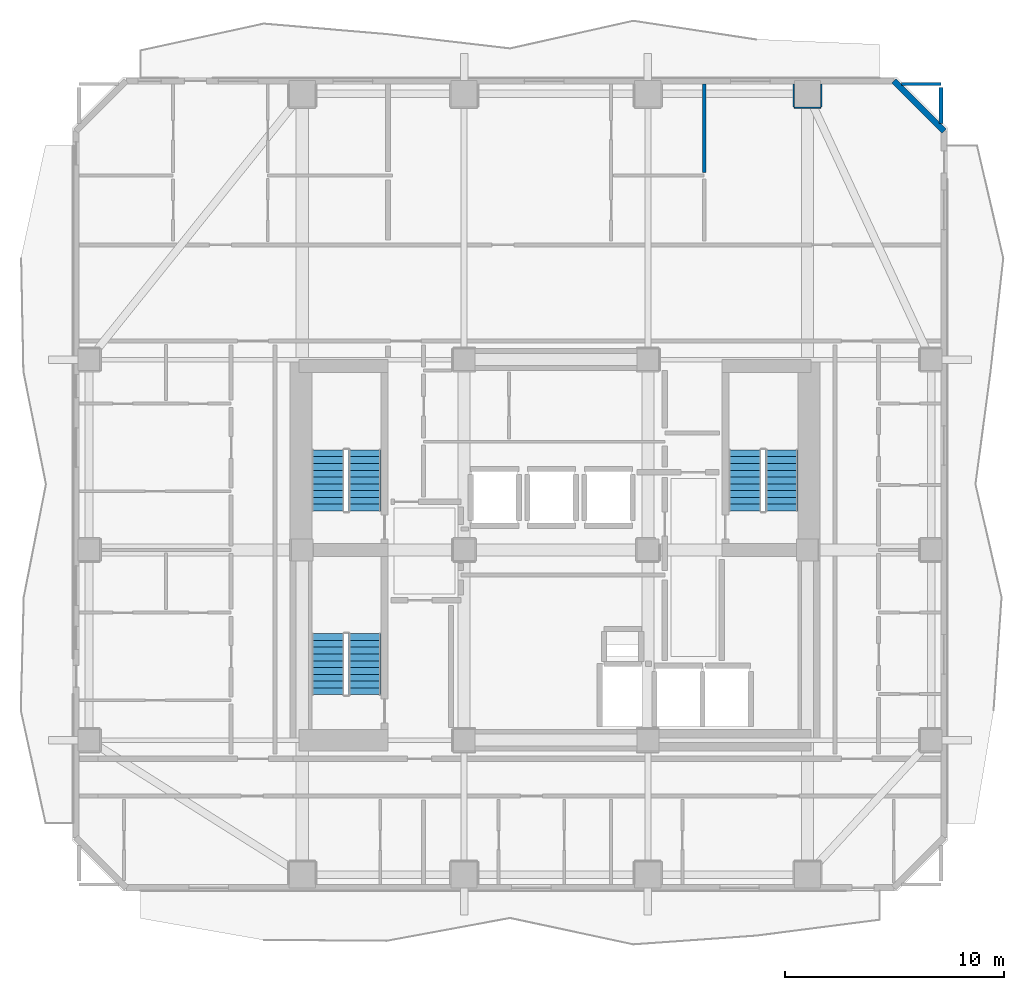
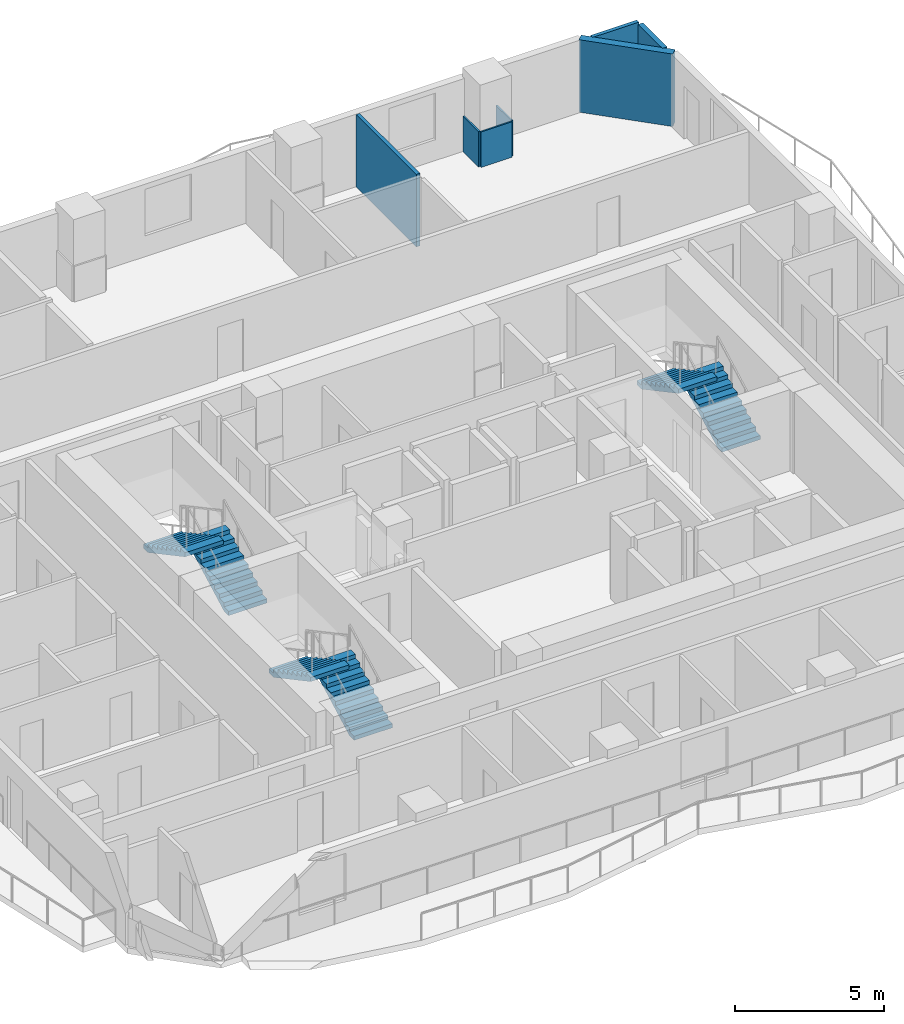
# One storey, part 7 of 11: 7 walls, 6 stair flights, 3 elements without a shape of their own.
"""IFC4 building model written with IfcOpenShell, lengths in metres."""

from ifc_helpers import new_model, si_unit, direction, frame, frame_2d, origin, place, context, subcontext, project, spatial, polyline, rectangle, outline, extrude, material, layer, layer_set, type_object, element, aggregate, save


model = new_model("IFC4")

# Units and contexts
model_context = context("Model", 3, precision=1e-05, world=origin(), true_north=direction((0.0, 1.0)))
body_context = subcontext(model_context, "Body", "Model", "MODEL_VIEW")
ifc_project = project(units=[si_unit("LENGTHUNIT", "METRE"), si_unit("AREAUNIT", "SQUARE_METRE"), si_unit("VOLUMEUNIT", "CUBIC_METRE"), si_unit("PLANEANGLEUNIT", "RADIAN"), si_unit("MASSUNIT", "GRAM", prefix="KILO")], contexts=[model_context])

# Site, building, storey
site_placement = place(None, origin())
site = spatial("IfcSite", under=ifc_project, at=site_placement, CompositionType="ELEMENT")
building_placement = place(site_placement, origin())
building = spatial("IfcBuilding", under=site, at=building_placement, Name="Solanera Arch Residences", CompositionType="ELEMENT")
storey_placement = place(building_placement, frame((0.0, 0.0, 169.159912109375)))
storey = spatial("IfcBuildingStorey", under=building, at=storey_placement, Name="L49", CompositionType="ELEMENT", Elevation=169.159912109375)

# Walls
ifc_material_1 = material(Name="Fire-Rated Gypsum Stud Partition", Category="gypsum")
ifc_layer_1 = layer(ifc_material_1, 0.06005859375)
ifc_layer_set_1 = layer_set([ifc_layer_1], Name="Fire-Rated Gypsum Stud Partition")
wall_type_1 = type_object("IfcWallType", Name="Column Acoustic Furring Wall 60", PredefinedType="PARTITIONING", material=ifc_layer_set_1)
wall_1_placement = place(storey_placement, frame((35.89990234375, 50.91796875, 0.0), z_axis=(0.0, 0.0, 1.0), x_axis=(1.0, 0.0, 0.0)))
element("IfcWall", 1, at=wall_1_placement, inside=storey, type_object=wall_type_1, Name="L49 Column Furring 16S", PredefinedType="PARTITIONING", context=body_context, shape_type="SweptSolid", body=[
    extrude(rectangle(XDim=1.2001953125, YDim=0.06005859375, at=frame_2d((0.60009765625, 0.0))), origin(), (0.0, 0.0, 1.0), 1.4501953125),
])
for number, where, z_axis, x_axis, name in (
    (2, (35.867919921875, 50.949951171875, 0.0), (0.0, 0.0, 1.0), (0.0, 1.0, 0.0), "L49 Column Furring 16W"),
    (3, (37.132080078125, 50.949951171875, 0.0), (0.0, 0.0, 1.0), (0.0, 1.0, 0.0), "L49 Column Furring 16E"),
):
    element("IfcWall", number, at=place(storey_placement, frame(where, z_axis=z_axis, x_axis=x_axis)), inside=storey, type_object=wall_type_1, Name=name, PredefinedType="PARTITIONING", context=body_context, shape_type="SweptSolid", body=[
        extrude(rectangle(XDim=1.0400390625, YDim=0.06005859375, at=frame_2d((0.52001953125, 0.0))), origin(), (0.0, 0.0, 1.0), 1.4501953125),
    ])
ifc_material_2 = material(Name="Autoclaved Aerated Concrete Blockwork", Category="masonry")
ifc_layer_2 = layer(ifc_material_2, 0.179931640625)
ifc_layer_set_2 = layer_set([ifc_layer_2], Name="Autoclaved Aerated Concrete Blockwork")
wall_type_2 = type_object("IfcWallType", Name="Corridor Fire Partition 180", PredefinedType="PARTITIONING", material=ifc_layer_set_2)
wall_2_placement = place(storey_placement, frame((42.60009765625, 50.205078125, 0.0), z_axis=(0.0, 0.0, 1.0), x_axis=(0.0, 1.0, 0.0)))
element("IfcWall", 4, at=wall_2_placement, inside=storey, type_object=wall_type_2, Name="L49 Interior Partition V15 2", PredefinedType="PARTITIONING", context=body_context, shape_type="SweptSolid", body=[
    extrude(rectangle(XDim=1.626953125, YDim=0.179931640625, at=frame_2d((0.8134765625, 0.0))), origin(), (0.0, 0.0, 1.0), 2.960205078125),
])
ifc_material_3 = material(Name="Precast Concrete C35/45", Category="concrete")
ifc_layer_3 = layer(ifc_material_3, 0.280029296875)
ifc_layer_set_3 = layer_set([ifc_layer_3], Name="Precast Concrete C35/45")
wall_type_3 = type_object("IfcWallType", Name="Exterior Wall Precast Masonry-Frame 280", PredefinedType="STANDARD", material=ifc_layer_set_3)
wall_3_placement = place(storey_placement, frame((40.445068359375, 52.14501953125, 0.0), z_axis=(0.0, 0.0, 1.0), x_axis=(0.707106781187, -0.707106781187, 0.0)))
element("IfcWall", 5, at=wall_3_placement, inside=storey, type_object=wall_type_3, Name="L49 Tower Exterior Precast Masonry-Frame Wall CH3", PredefinedType="STANDARD", context=body_context, shape_type="SweptSolid", body=[
    extrude(rectangle(XDim=3.252685546875, YDim=0.280029296875, at=frame_2d((1.62646484375, 0.0))), origin(), (0.0, 0.0, 1.0), 2.960205078125),
])
ifc_material_4 = material(Name="Autoclaved Aerated Concrete Blockwork", Category="masonry")
ifc_layer_4 = layer(ifc_material_4, 0.139892578125)
ifc_layer_set_4 = layer_set([ifc_layer_4], Name="Autoclaved Aerated Concrete Blockwork")
wall_type_4 = type_object("IfcWallType", Name="Wet-Room Partition 140", PredefinedType="PARTITIONING", material=ifc_layer_set_4)
wall_4_placement = place(storey_placement, frame((40.804931640625, 52.0, 0.0), z_axis=(0.0, 0.0, 1.0), x_axis=(1.0, 0.0, 0.0)))
element("IfcWall", 6, at=wall_4_placement, inside=storey, type_object=wall_type_4, Name="L49 Interior Partition H24 2", PredefinedType="PARTITIONING", context=body_context, shape_type="SweptSolid", body=[
    extrude(rectangle(XDim=1.795166015625, YDim=0.139892578125, at=frame_2d((0.8974609375, 0.0))), origin(), (0.0, 0.0, 1.0), 2.960205078125),
])
wall_5_placement = place(storey_placement, frame((31.778076171875, 47.9580078125, 0.0), z_axis=(0.0, 0.0, 1.0), x_axis=(0.0, 1.0, 0.0)))
element("IfcWall", 7, at=wall_5_placement, inside=storey, type_object=wall_type_4, Name="L49 Interior Partition V24 2", PredefinedType="PARTITIONING", context=body_context, shape_type="SweptSolid", body=[
    extrude(rectangle(XDim=4.034912109375, YDim=0.139892578125, at=frame_2d((2.017578125, 0.0))), origin(), (0.0, 0.0, 1.0), 2.960205078125),
])

# Stair, stair flights
ifc_material_5 = material(Name="Concrete C40/50 (f'c = 45 MPa)", Category="concrete")
stair_type = type_object("IfcStairType", Name="Tower Dogleg Exit Stair 1480", PredefinedType="HALF_TURN_STAIR", material=ifc_material_5)
stair_1_placement = place(storey_placement, origin())
stair_1 = element("IfcStair", 8, at=stair_1_placement, inside=storey, type_object=stair_type, Name="L49 Tower Core Exit Stair 1", PredefinedType="HALF_TURN_STAIR")
ifc_material_6 = material(Name="Concrete C40/50 (f'c = 45 MPa)", Category="concrete")
stair_flight_type = type_object("IfcStairFlightType", Name="Tower Precast Stair Flight 1480", PredefinedType="STRAIGHT", material=ifc_material_6)
stair_flight_1_placement = place(storey_placement, frame((16.260009765625, 32.47998046875, 0.0), z_axis=(0.0, 0.0, 1.0), x_axis=(0.0, 1.0, 0.0)))
stair_flight_1 = element("IfcStairFlight", 9, at=stair_flight_1_placement, type_object=stair_flight_type, Name="ST-T1 flight 1", NumberOfRisers=10, NumberOfTreads=9, PredefinedType="STRAIGHT", RiserHeight=0.166, TreadLength=0.31, context=body_context, shape_type="SweptSolid", body=[
    extrude(outline(polyline([(0.0, 0.0), (0.0, 0.166015625), (0.31005859375, 0.166015625), (0.31005859375, 0.33203125), (0.6201171875, 0.33203125), (0.6201171875, 0.498046875), (0.929931640625, 0.498046875), (0.929931640625, 0.6640625), (1.239990234375, 0.6640625), (1.239990234375, 0.830078125), (1.550048828125, 0.830078125), (1.550048828125, 0.99609375), (1.860107421875, 0.99609375), (1.860107421875, 1.162109375), (2.169921875, 1.162109375), (2.169921875, 1.327880859375), (2.47998046875, 1.327880859375), (2.47998046875, 1.493896484375), (2.7900390625, 1.493896484375), (2.7900390625, 1.659912109375), (2.7900390625, 1.323974609375), (0.317626953125, 0.0), (0.0, 0.0)])), frame((0.0, 0.739990234375, 0.0), z_axis=(0.0, -1.0, 0.0), x_axis=(1.0, 0.0, 0.0)), (0.0, 0.0, 1.0), 1.47998046875),
])
stair_flight_2_placement = place(storey_placement, frame((14.580078125, 35.27001953125, 1.66015625), z_axis=(0.0, 0.0, 1.0), x_axis=(0.0, -1.0, 0.0)))
stair_flight_2 = element("IfcStairFlight", 10, at=stair_flight_2_placement, type_object=stair_flight_type, Name="ST-T1 flight 2", NumberOfRisers=10, NumberOfTreads=9, PredefinedType="STRAIGHT", RiserHeight=0.166, TreadLength=0.31, context=body_context, shape_type="SweptSolid", body=[
    extrude(outline(polyline([(0.0, 0.0), (0.0, 0.166015625), (0.31005859375, 0.166015625), (0.31005859375, 0.33203125), (0.6201171875, 0.33203125), (0.6201171875, 0.498046875), (0.929931640625, 0.498046875), (0.929931640625, 0.6640625), (1.239990234375, 0.6640625), (1.239990234375, 0.830078125), (1.550048828125, 0.830078125), (1.550048828125, 0.99609375), (1.860107421875, 0.99609375), (1.860107421875, 1.162109375), (2.169921875, 1.162109375), (2.169921875, 1.327880859375), (2.47998046875, 1.327880859375), (2.47998046875, 1.493896484375), (2.7900390625, 1.493896484375), (2.7900390625, 1.659912109375), (2.7900390625, 1.323974609375), (0.317626953125, 0.0), (0.0, 0.0)])), frame((0.0, 0.739990234375, 0.0), z_axis=(0.0, -1.0, 0.0), x_axis=(1.0, 0.0, 0.0)), (0.0, 0.0, 1.0), 1.47998046875),
])
aggregate(stair_1, [stair_flight_1, stair_flight_2])

stair_2_placement = place(storey_placement, origin())
stair_2 = element("IfcStair", 11, at=stair_2_placement, inside=storey, type_object=stair_type, Name="L49 Tower Core Exit Stair 2", PredefinedType="HALF_TURN_STAIR")
stair_flight_3_placement = place(storey_placement, frame((35.320068359375, 32.47998046875, 0.0), z_axis=(0.0, 0.0, 1.0), x_axis=(0.0, 1.0, 0.0)))
stair_flight_3 = element("IfcStairFlight", 12, at=stair_flight_3_placement, type_object=stair_flight_type, Name="ST-T2 flight 1", NumberOfRisers=10, NumberOfTreads=9, PredefinedType="STRAIGHT", RiserHeight=0.166, TreadLength=0.31, context=body_context, shape_type="SweptSolid", body=[
    extrude(outline(polyline([(0.0, 0.0), (0.0, 0.166015625), (0.31005859375, 0.166015625), (0.31005859375, 0.33203125), (0.6201171875, 0.33203125), (0.6201171875, 0.498046875), (0.929931640625, 0.498046875), (0.929931640625, 0.6640625), (1.239990234375, 0.6640625), (1.239990234375, 0.830078125), (1.550048828125, 0.830078125), (1.550048828125, 0.99609375), (1.860107421875, 0.99609375), (1.860107421875, 1.162109375), (2.169921875, 1.162109375), (2.169921875, 1.327880859375), (2.47998046875, 1.327880859375), (2.47998046875, 1.493896484375), (2.7900390625, 1.493896484375), (2.7900390625, 1.659912109375), (2.7900390625, 1.323974609375), (0.317626953125, 0.0), (0.0, 0.0)])), frame((0.0, 0.739990234375, 0.0), z_axis=(0.0, -1.0, 0.0), x_axis=(1.0, 0.0, 0.0)), (0.0, 0.0, 1.0), 1.47998046875),
])
stair_flight_4_placement = place(storey_placement, frame((33.639892578125, 35.27001953125, 1.66015625), z_axis=(0.0, 0.0, 1.0), x_axis=(0.0, -1.0, 0.0)))
stair_flight_4 = element("IfcStairFlight", 13, at=stair_flight_4_placement, type_object=stair_flight_type, Name="ST-T2 flight 2", NumberOfRisers=10, NumberOfTreads=9, PredefinedType="STRAIGHT", RiserHeight=0.166, TreadLength=0.31, context=body_context, shape_type="SweptSolid", body=[
    extrude(outline(polyline([(0.0, 0.0), (0.0, 0.166015625), (0.31005859375, 0.166015625), (0.31005859375, 0.33203125), (0.6201171875, 0.33203125), (0.6201171875, 0.498046875), (0.929931640625, 0.498046875), (0.929931640625, 0.6640625), (1.239990234375, 0.6640625), (1.239990234375, 0.830078125), (1.550048828125, 0.830078125), (1.550048828125, 0.99609375), (1.860107421875, 0.99609375), (1.860107421875, 1.162109375), (2.169921875, 1.162109375), (2.169921875, 1.327880859375), (2.47998046875, 1.327880859375), (2.47998046875, 1.493896484375), (2.7900390625, 1.493896484375), (2.7900390625, 1.659912109375), (2.7900390625, 1.323974609375), (0.317626953125, 0.0), (0.0, 0.0)])), frame((0.0, 0.739990234375, 0.0), z_axis=(0.0, -1.0, 0.0), x_axis=(1.0, 0.0, 0.0)), (0.0, 0.0, 1.0), 1.47998046875),
])
aggregate(stair_2, [stair_flight_3, stair_flight_4])

stair_3_placement = place(storey_placement, origin())
stair_3 = element("IfcStair", 14, at=stair_3_placement, inside=storey, type_object=stair_type, Name="L49 Tower Core Exit Stair 3", PredefinedType="HALF_TURN_STAIR")
stair_flight_5_placement = place(storey_placement, frame((16.260009765625, 24.080078125, 0.0), z_axis=(0.0, 0.0, 1.0), x_axis=(0.0, 1.0, 0.0)))
stair_flight_5 = element("IfcStairFlight", 15, at=stair_flight_5_placement, type_object=stair_flight_type, Name="ST-T3 flight 1", NumberOfRisers=10, NumberOfTreads=9, PredefinedType="STRAIGHT", RiserHeight=0.166, TreadLength=0.31, context=body_context, shape_type="SweptSolid", body=[
    extrude(outline(polyline([(0.0, 0.0), (0.0, 0.166015625), (0.31005859375, 0.166015625), (0.31005859375, 0.33203125), (0.6201171875, 0.33203125), (0.6201171875, 0.498046875), (0.929931640625, 0.498046875), (0.929931640625, 0.6640625), (1.239990234375, 0.6640625), (1.239990234375, 0.830078125), (1.550048828125, 0.830078125), (1.550048828125, 0.99609375), (1.860107421875, 0.99609375), (1.860107421875, 1.162109375), (2.169921875, 1.162109375), (2.169921875, 1.327880859375), (2.47998046875, 1.327880859375), (2.47998046875, 1.493896484375), (2.7900390625, 1.493896484375), (2.7900390625, 1.659912109375), (2.7900390625, 1.323974609375), (0.317626953125, 0.0), (0.0, 0.0)])), frame((0.0, 0.739990234375, 0.0), z_axis=(0.0, -1.0, 0.0), x_axis=(1.0, 0.0, 0.0)), (0.0, 0.0, 1.0), 1.47998046875),
])
stair_flight_6_placement = place(storey_placement, frame((14.580078125, 26.8701171875, 1.66015625), z_axis=(0.0, 0.0, 1.0), x_axis=(0.0, -1.0, 0.0)))
stair_flight_6 = element("IfcStairFlight", 16, at=stair_flight_6_placement, type_object=stair_flight_type, Name="ST-T3 flight 2", NumberOfRisers=10, NumberOfTreads=9, PredefinedType="STRAIGHT", RiserHeight=0.166, TreadLength=0.31, context=body_context, shape_type="SweptSolid", body=[
    extrude(outline(polyline([(0.0, 0.0), (0.0, 0.166015625), (0.31005859375, 0.166015625), (0.31005859375, 0.33203125), (0.6201171875, 0.33203125), (0.6201171875, 0.498046875), (0.929931640625, 0.498046875), (0.929931640625, 0.6640625), (1.239990234375, 0.6640625), (1.239990234375, 0.830078125), (1.550048828125, 0.830078125), (1.550048828125, 0.99609375), (1.860107421875, 0.99609375), (1.860107421875, 1.162109375), (2.169921875, 1.162109375), (2.169921875, 1.327880859375), (2.47998046875, 1.327880859375), (2.47998046875, 1.493896484375), (2.7900390625, 1.493896484375), (2.7900390625, 1.659912109375), (2.7900390625, 1.323974609375), (0.317626953125, 0.0), (0.0, 0.0)])), frame((0.0, 0.739990234375, 0.0), z_axis=(0.0, -1.0, 0.0), x_axis=(1.0, 0.0, 0.0)), (0.0, 0.0, 1.0), 1.47998046875),
])
aggregate(stair_3, [stair_flight_5, stair_flight_6])

save(model, "model.ifc")
